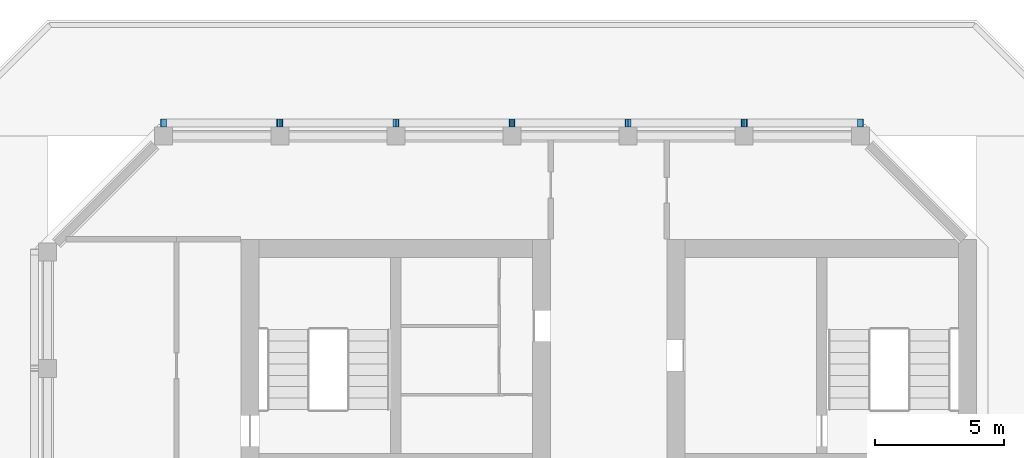
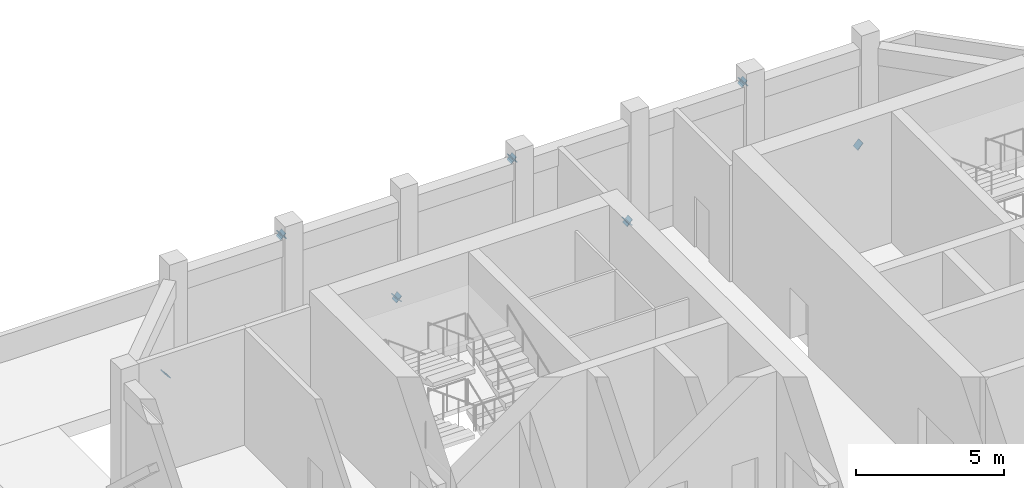
# One storey, part 6 of 8: 12 discrete accessories.
"""IFC4 building model written with IfcOpenShell, lengths in metres."""

from ifc_helpers import new_model, si_unit, direction, frame, origin, origin_2d, place, context, subcontext, project, spatial, rectangle, extrude, material, material_profile, profile_set, type_object, element, save


model = new_model("IFC4")

# Units and contexts
model_context = context("Model", 3, precision=1e-05, world=origin(), true_north=direction((0.0, 1.0)))
body_context = subcontext(model_context, "Body", "Model", "MODEL_VIEW")
ifc_project = project(units=[si_unit("LENGTHUNIT", "METRE"), si_unit("AREAUNIT", "SQUARE_METRE"), si_unit("VOLUMEUNIT", "CUBIC_METRE"), si_unit("PLANEANGLEUNIT", "RADIAN"), si_unit("MASSUNIT", "GRAM", prefix="KILO")], contexts=[model_context])

# Site, building, storey
site_placement = place(None, origin())
site = spatial("IfcSite", under=ifc_project, at=site_placement, CompositionType="ELEMENT")
building_placement = place(site_placement, origin())
building = spatial("IfcBuilding", under=site, at=building_placement, Name="Corbel Stack Research Tower", CompositionType="ELEMENT")
storey_placement = place(building_placement, frame((0.0, 0.0, 301.0)))
storey = spatial("IfcBuildingStorey", under=building, at=storey_placement, Name="L68", CompositionType="ELEMENT", Elevation=301.0)

# Discrete accessories
ifc_material = material(Name="Steel S355", Category="steel")
ifc_material_profile = material_profile(ifc_material, rectangle(XDim=0.304931640625, YDim=0.304931640625, at=origin_2d()), Name="End plate 305x305x25")
ifc_profile_set = profile_set([ifc_material_profile], Name="Steel S355")
discrete_accessory_type = type_object("IfcDiscreteAccessoryType", Name="End plate 305x305x25", PredefinedType="ANCHORPLATE", material=ifc_profile_set)
for number, where, z_axis, x_axis, name in (
    (1, (13.5, 23.00244140625, 0.300048828125), (0.735931011762, 0.0, -0.677056530821), (0.0, 1.0, 0.0), "Brace end plate L68-07a"),
    (2, (9.0, 23.00244140625, 4.449951171875), (-0.735931011762, 0.0, 0.677056530821), (0.0, -1.0, 0.0), "Brace end plate L68-07b"),
    (3, (4.5, 23.00244140625, 0.300048828125), (-0.735931011762, 0.0, -0.677056530821), (0.0, -1.0, 0.0), "Brace end plate L68-08a"),
    (4, (9.0, 23.00244140625, 4.449951171875), (0.735931011762, 0.0, 0.677056530821), (0.0, 1.0, 0.0), "Brace end plate L68-08b"),
    (5, (4.5, 23.00244140625, 0.300048828125), (0.735931011762, 0.0, -0.677056530821), (0.0, 1.0, 0.0), "Brace end plate L68-09a"),
    (6, (0.0, 23.00244140625, 4.449951171875), (-0.735931011762, 0.0, 0.677056530821), (0.0, -1.0, 0.0), "Brace end plate L68-09b"),
    (7, (-4.5, 23.00244140625, 0.300048828125), (-0.735931011762, 0.0, -0.677056530821), (0.0, -1.0, 0.0), "Brace end plate L68-10a"),
    (8, (0.0, 23.00244140625, 4.449951171875), (0.735931011762, 0.0, 0.677056530821), (0.0, 1.0, 0.0), "Brace end plate L68-10b"),
    (9, (-4.5, 23.00244140625, 0.300048828125), (0.735931011762, 0.0, -0.677056530821), (0.0, 1.0, 0.0), "Brace end plate L68-11a"),
    (10, (-9.0, 23.00244140625, 4.449951171875), (-0.735931011762, 0.0, 0.677056530821), (0.0, -1.0, 0.0), "Brace end plate L68-11b"),
    (11, (-13.5, 23.00244140625, 0.300048828125), (-0.735931011762, 0.0, -0.677056530821), (0.0, -1.0, 0.0), "Brace end plate L68-12a"),
    (12, (-9.0, 23.00244140625, 4.449951171875), (0.735931011762, 0.0, 0.677056530821), (0.0, 1.0, 0.0), "Brace end plate L68-12b"),
):
    element("IfcDiscreteAccessory", number, at=place(storey_placement, frame(where, z_axis=z_axis, x_axis=x_axis)), inside=storey, type_object=discrete_accessory_type, Name=name, PredefinedType="ANCHORPLATE", context=body_context, shape_type="SweptSolid", body=[
        extrude(rectangle(XDim=0.304931640625, YDim=0.304931640625, at=origin_2d()), origin(), (0.0, 0.0, 1.0), 0.02490234375),
    ])

save(model, "model.ifc")
